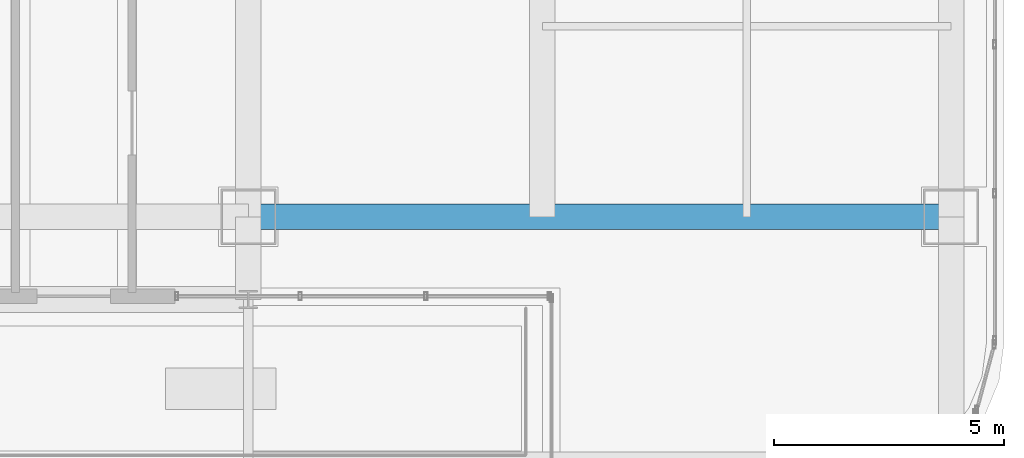
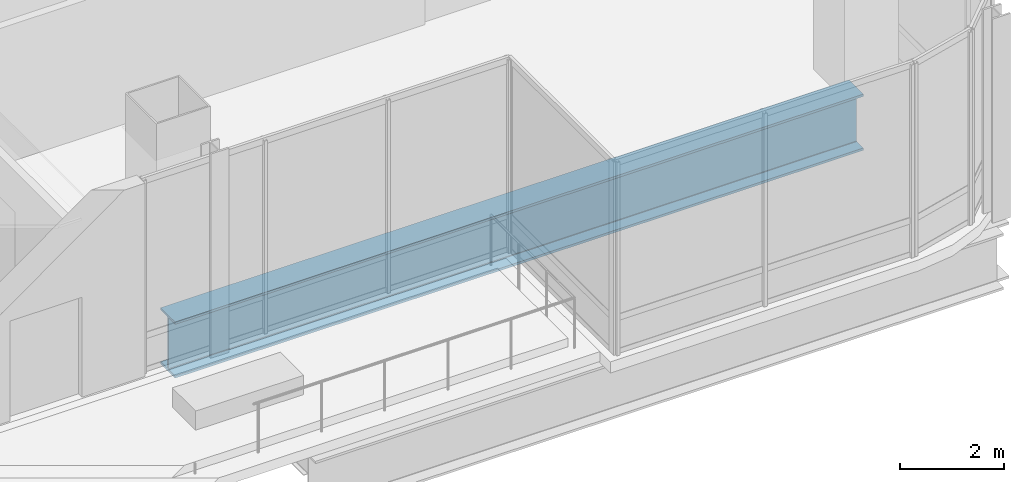
# One storey, part 17 of 44: 1 beam.
"""IFC4 building model written with IfcOpenShell, lengths in metres."""

from ifc_helpers import new_model, si_unit, direction, frame, origin, origin_2d, place, context, subcontext, project, spatial, i_section, extrude, material, material_profile, profile_set, type_object, element, save


model = new_model("IFC4")

# Units and contexts
model_context = context("Model", 3, precision=1e-05, world=origin(), true_north=direction((0.0, 1.0)))
body_context = subcontext(model_context, "Body", "Model", "MODEL_VIEW")
ifc_project = project(units=[si_unit("LENGTHUNIT", "METRE"), si_unit("AREAUNIT", "SQUARE_METRE"), si_unit("VOLUMEUNIT", "CUBIC_METRE"), si_unit("PLANEANGLEUNIT", "RADIAN"), si_unit("MASSUNIT", "GRAM", prefix="KILO")], contexts=[model_context])

# Site, building, storey
site_placement = place(None, origin())
site = spatial("IfcSite", under=ifc_project, at=site_placement, CompositionType="ELEMENT")
building_placement = place(site_placement, origin())
building = spatial("IfcBuilding", under=site, at=building_placement, Name="Punatoya Terracotta Tower", CompositionType="ELEMENT")
storey_placement = place(building_placement, frame((0.0, 0.0, 334.199951171875)))
storey = spatial("IfcBuildingStorey", under=building, at=storey_placement, Name="L79", CompositionType="ELEMENT", Elevation=334.199951171875)

# Beam
ifc_material = material(Name="Steel S460", Category="steel")
ifc_material_profile = material_profile(ifc_material, i_section(OverallWidth=0.56005859375, OverallDepth=1.320068359375, WebThickness=0.035888671875, FlangeThickness=0.054931640625, FilletRadius=0.01806640625, at=origin_2d()))
ifc_profile_set = profile_set([ifc_material_profile], Name="Steel S460")
beam_type = type_object("IfcBeamType", Name="BM-TG-BLK", PredefinedType="BEAM", material=ifc_profile_set)
beam_placement = place(storey_placement, frame((3.800048828125, -17.5, -0.919921875), z_axis=(1.0, 0.0, 0.0), x_axis=(0.0, 1.0, 0.0)))
element("IfcBeam", 1, at=beam_placement, inside=storey, type_object=beam_type, Name="BM-L79-RG-S3", PredefinedType="BEAM", context=body_context, shape_type="SweptSolid", body=[
    extrude(i_section(OverallWidth=0.56005859375, OverallDepth=1.320068359375, WebThickness=0.035888671875, FlangeThickness=0.054931640625, FilletRadius=0.01806640625, at=origin_2d()), origin(), (0.0, 0.0, 1.0), 15.300048828125),
])

save(model, "model.ifc")
